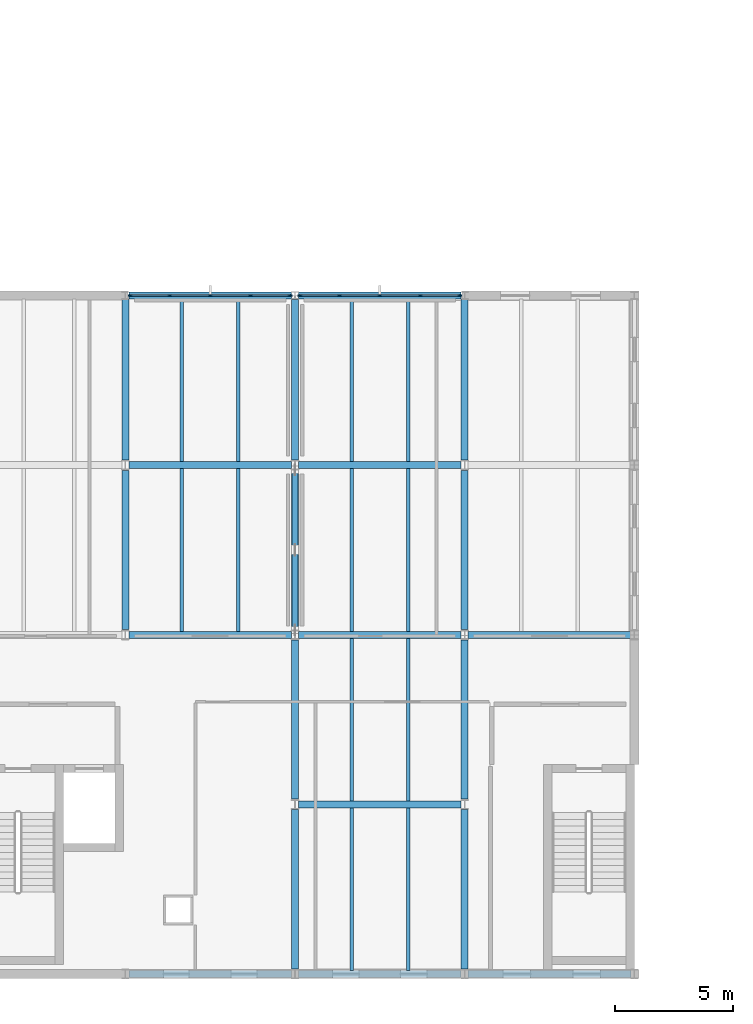
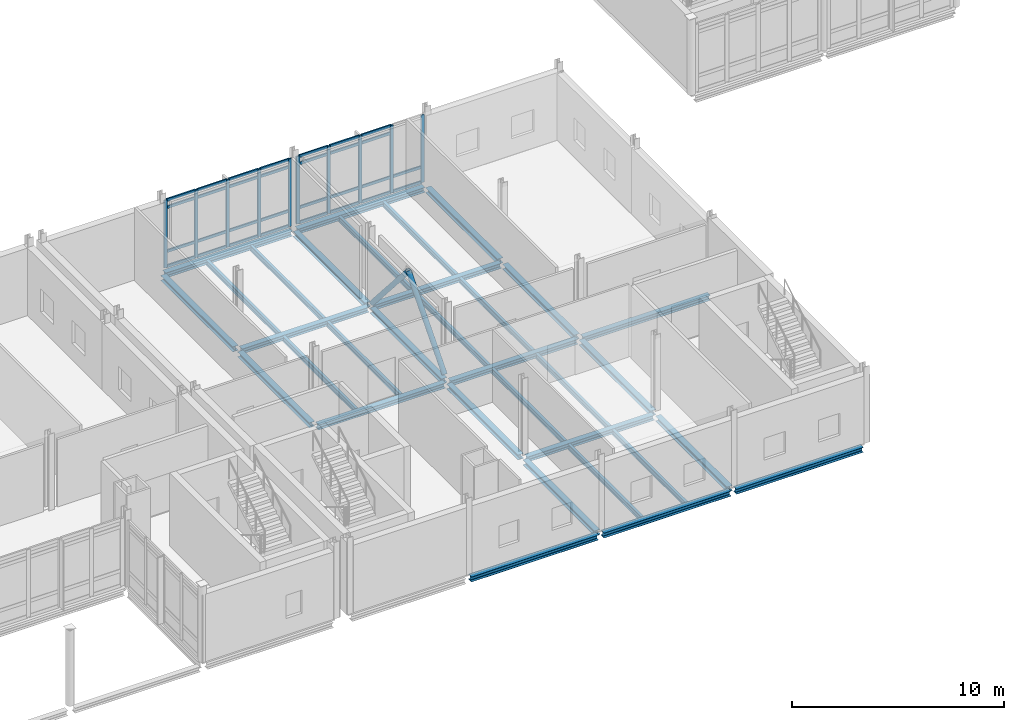
# One storey, part 21 of 76: 42 members, 33 beams, 2 elements without a shape of their own.
"""IFC4 building model written with IfcOpenShell, lengths in metres."""

from ifc_helpers import new_model, si_unit, direction, frame, origin, origin_2d, place, context, subcontext, project, spatial, rectangle, hollow_circle, i_section, extrude, material, layer, layer_set, material_profile, profile_set, type_object, element, aggregate, save


model = new_model("IFC4")

# Units and contexts
model_context = context("Model", 3, precision=1e-05, world=origin(), true_north=direction((0.0, 1.0)))
body_context = subcontext(model_context, "Body", "Model", "MODEL_VIEW")
ifc_project = project(units=[si_unit("LENGTHUNIT", "METRE"), si_unit("AREAUNIT", "SQUARE_METRE"), si_unit("VOLUMEUNIT", "CUBIC_METRE"), si_unit("PLANEANGLEUNIT", "RADIAN"), si_unit("MASSUNIT", "GRAM", prefix="KILO")], contexts=[model_context])

# Site, building, storey
site_placement = place(None, origin())
site = spatial("IfcSite", under=ifc_project, at=site_placement, CompositionType="ELEMENT")
building_placement = place(site_placement, origin())
building = spatial("IfcBuilding", under=site, at=building_placement, Name="Zarrinpeak Specialist Clinic", CompositionType="ELEMENT")
storey_placement = place(building_placement, frame((0.0, 0.0, 5.199951171875)))
storey = spatial("IfcBuildingStorey", under=building, at=storey_placement, Name="L01", CompositionType="ELEMENT", Elevation=5.199951171875)

# Beams
ifc_material_1 = material(Name="Steel S355", Category="steel")
ifc_material_profile_1 = material_profile(ifc_material_1, i_section(OverallWidth=0.300048828125, OverallDepth=0.2900390625, WebThickness=0.008544921875, FlangeThickness=0.013916015625, FilletRadius=0.027099609375, at=origin_2d()), Name="HEA 300")
ifc_profile_set_1 = profile_set([ifc_material_profile_1], Name="Steel S355")
beam_type_1 = type_object("IfcBeamType", Name="BM-HEA300", PredefinedType="BEAM", material=ifc_profile_set_1)
for number, where, z_axis, x_axis, name in (
    (1, (64.947998046875, 0.0, -0.375), (1.0, 0.0, 0.0), (0.0, 1.0, 0.0), "L01 Primary Floor Girder BM-L01-X0721"),
    (2, (72.14794921875, 0.0, -0.375), (1.0, 0.0, 0.0), (0.0, 1.0, 0.0), "L01 Primary Floor Girder BM-L01-X0722"),
    (3, (79.347900390625, 0.0, -0.375), (1.0, 0.0, 0.0), (0.0, 1.0, 0.0), "L01 Primary Floor Girder BM-L01-X0723"),
    (4, (72.14794921875, 7.199951171875, -0.375), (1.0, 0.0, 0.0), (0.0, 1.0, 0.0), "L01 Primary Floor Girder BM-L01-X0728"),
    (5, (64.947998046875, 14.39990234375, -0.375), (1.0, 0.0, 0.0), (0.0, 1.0, 0.0), "L01 Primary Floor Girder BM-L01-X0736"),
    (6, (72.14794921875, 14.39990234375, -0.375), (1.0, 0.0, 0.0), (0.0, 1.0, 0.0), "L01 Primary Floor Girder BM-L01-X0737"),
    (7, (79.347900390625, 14.39990234375, -0.375), (1.0, 0.0, 0.0), (0.0, 1.0, 0.0), "L01 Primary Floor Girder BM-L01-X0738"),
    (8, (64.947998046875, 21.60009765625, -0.375), (1.0, 0.0, 0.0), (0.0, 1.0, 0.0), "L01 Primary Floor Girder BM-L01-X0748"),
    (9, (72.14794921875, 21.60009765625, -0.375), (1.0, 0.0, 0.0), (0.0, 1.0, 0.0), "L01 Primary Floor Girder BM-L01-X0749"),
    (10, (64.947998046875, 28.800048828125, -0.375), (1.0, 0.0, 0.0), (0.0, 1.0, 0.0), "L01 Primary Floor Girder BM-L01-X0760"),
    (11, (72.14794921875, 28.800048828125, -0.375), (1.0, 0.0, 0.0), (0.0, 1.0, 0.0), "L01 Primary Floor Girder BM-L01-X0761"),
):
    element("IfcBeam", number, at=place(storey_placement, frame(where, z_axis=z_axis, x_axis=x_axis)), inside=storey, type_object=beam_type_1, Name=name, PredefinedType="BEAM", context=body_context, shape_type="SweptSolid", body=[
        extrude(i_section(OverallWidth=0.300048828125, OverallDepth=0.2900390625, WebThickness=0.008544921875, FlangeThickness=0.013916015625, FilletRadius=0.027099609375, at=origin_2d()), origin(), (0.0, 0.0, 1.0), 6.904052734375),
    ])
beam_1_placement = place(storey_placement, frame((64.800048828125, 14.623046875, -0.375), z_axis=(0.0, 1.0, 0.0), x_axis=(-1.0, 0.0, 0.0)))
element("IfcBeam", 12, at=beam_1_placement, inside=storey, type_object=beam_type_1, Name="L01 Primary Beam BM-L01-Y0916", PredefinedType="BEAM", context=body_context, shape_type="SweptSolid", body=[
    extrude(i_section(OverallWidth=0.300048828125, OverallDepth=0.2900390625, WebThickness=0.008544921875, FlangeThickness=0.013916015625, FilletRadius=0.027099609375, at=origin_2d()), origin(), (0.0, 0.0, 1.0), 6.75390625),
])
beam_2_placement = place(storey_placement, frame((64.800048828125, 21.822998046875, -0.375), z_axis=(0.0, 1.0, 0.0), x_axis=(-1.0, 0.0, 0.0)))
element("IfcBeam", 13, at=beam_2_placement, inside=storey, type_object=beam_type_1, Name="L01 Primary Beam BM-L01-Y0917", PredefinedType="BEAM", context=body_context, shape_type="SweptSolid", body=[
    extrude(i_section(OverallWidth=0.300048828125, OverallDepth=0.2900390625, WebThickness=0.008544921875, FlangeThickness=0.013916015625, FilletRadius=0.027099609375, at=origin_2d()), origin(), (0.0, 0.0, 1.0), 6.799072265625),
])
beam_3_placement = place(storey_placement, frame((72.0, 0.222900390625, -0.375), z_axis=(0.0, 1.0, 0.0), x_axis=(-1.0, 0.0, 0.0)))
element("IfcBeam", 14, at=beam_3_placement, inside=storey, type_object=beam_type_1, Name="L01 Primary Beam BM-L01-Y0921", PredefinedType="BEAM", context=body_context, shape_type="SweptSolid", body=[
    extrude(i_section(OverallWidth=0.300048828125, OverallDepth=0.2900390625, WebThickness=0.008544921875, FlangeThickness=0.013916015625, FilletRadius=0.027099609375, at=origin_2d()), origin(), (0.0, 0.0, 1.0), 6.754150390625),
])
for number, where, z_axis, x_axis, name in (
    (15, (72.0, 7.423095703125, -0.375), (0.0, 1.0, 0.0), (-1.0, 0.0, 0.0), "L01 Primary Beam BM-L01-Y0922"),
    (16, (72.0, 14.623046875, -0.375), (0.0, 1.0, 0.0), (-1.0, 0.0, 0.0), "L01 Primary Beam BM-L01-Y0923"),
):
    element("IfcBeam", number, at=place(storey_placement, frame(where, z_axis=z_axis, x_axis=x_axis)), inside=storey, type_object=beam_type_1, Name=name, PredefinedType="BEAM", context=body_context, shape_type="SweptSolid", body=[
        extrude(i_section(OverallWidth=0.300048828125, OverallDepth=0.2900390625, WebThickness=0.008544921875, FlangeThickness=0.013916015625, FilletRadius=0.027099609375, at=origin_2d()), origin(), (0.0, 0.0, 1.0), 6.75390625),
    ])
beam_4_placement = place(storey_placement, frame((72.0, 21.822998046875, -0.375), z_axis=(0.0, 1.0, 0.0), x_axis=(-1.0, 0.0, 0.0)))
element("IfcBeam", 17, at=beam_4_placement, inside=storey, type_object=beam_type_1, Name="L01 Primary Beam BM-L01-Y0924", PredefinedType="BEAM", context=body_context, shape_type="SweptSolid", body=[
    extrude(i_section(OverallWidth=0.300048828125, OverallDepth=0.2900390625, WebThickness=0.008544921875, FlangeThickness=0.013916015625, FilletRadius=0.027099609375, at=origin_2d()), origin(), (0.0, 0.0, 1.0), 6.799072265625),
])
beam_5_placement = place(storey_placement, frame((79.199951171875, 0.222900390625, -0.375), z_axis=(0.0, 1.0, 0.0), x_axis=(-1.0, 0.0, 0.0)))
element("IfcBeam", 18, at=beam_5_placement, inside=storey, type_object=beam_type_1, Name="L01 Primary Beam BM-L01-Y0925", PredefinedType="BEAM", context=body_context, shape_type="SweptSolid", body=[
    extrude(i_section(OverallWidth=0.300048828125, OverallDepth=0.2900390625, WebThickness=0.008544921875, FlangeThickness=0.013916015625, FilletRadius=0.027099609375, at=origin_2d()), origin(), (0.0, 0.0, 1.0), 6.754150390625),
])
for number, where, z_axis, x_axis, name in (
    (19, (79.199951171875, 7.423095703125, -0.375), (0.0, 1.0, 0.0), (-1.0, 0.0, 0.0), "L01 Primary Beam BM-L01-Y0926"),
    (20, (79.199951171875, 14.623046875, -0.375), (0.0, 1.0, 0.0), (-1.0, 0.0, 0.0), "L01 Primary Beam BM-L01-Y0927"),
):
    element("IfcBeam", number, at=place(storey_placement, frame(where, z_axis=z_axis, x_axis=x_axis)), inside=storey, type_object=beam_type_1, Name=name, PredefinedType="BEAM", context=body_context, shape_type="SweptSolid", body=[
        extrude(i_section(OverallWidth=0.300048828125, OverallDepth=0.2900390625, WebThickness=0.008544921875, FlangeThickness=0.013916015625, FilletRadius=0.027099609375, at=origin_2d()), origin(), (0.0, 0.0, 1.0), 6.75390625),
    ])
beam_6_placement = place(storey_placement, frame((79.199951171875, 21.822998046875, -0.375), z_axis=(0.0, 1.0, 0.0), x_axis=(-1.0, 0.0, 0.0)))
element("IfcBeam", 21, at=beam_6_placement, inside=storey, type_object=beam_type_1, Name="L01 Primary Beam BM-L01-Y0928", PredefinedType="BEAM", context=body_context, shape_type="SweptSolid", body=[
    extrude(i_section(OverallWidth=0.300048828125, OverallDepth=0.2900390625, WebThickness=0.008544921875, FlangeThickness=0.013916015625, FilletRadius=0.027099609375, at=origin_2d()), origin(), (0.0, 0.0, 1.0), 6.799072265625),
])
ifc_material_profile_2 = material_profile(ifc_material_1, i_section(OverallWidth=0.14990234375, OverallDepth=0.300048828125, WebThickness=0.007080078125, FlangeThickness=0.0107421875, FilletRadius=0.014892578125, at=origin_2d()), Name="IPE 300")
ifc_profile_set_2 = profile_set([ifc_material_profile_2], Name="Steel S355")
beam_type_2 = type_object("IfcBeamType", Name="BM-JST300", PredefinedType="JOIST", material=ifc_profile_set_2)
for number, where, z_axis, x_axis, name in (
    (22, (67.199951171875, 14.548095703125, -0.3798828125), (0.0, 1.0, 0.0), (-1.0, 0.0, 0.0), "L01 Composite Floor Joist JST-L01-1013"),
    (23, (69.60009765625, 14.548095703125, -0.3798828125), (0.0, 1.0, 0.0), (-1.0, 0.0, 0.0), "L01 Composite Floor Joist JST-L01-1014"),
):
    element("IfcBeam", number, at=place(storey_placement, frame(where, z_axis=z_axis, x_axis=x_axis)), inside=storey, type_object=beam_type_2, Name=name, PredefinedType="JOIST", context=body_context, shape_type="SweptSolid", body=[
        extrude(i_section(OverallWidth=0.14990234375, OverallDepth=0.300048828125, WebThickness=0.007080078125, FlangeThickness=0.0107421875, FilletRadius=0.014892578125, at=origin_2d()), origin(), (0.0, 0.0, 1.0), 6.90380859375),
    ])
for number, where, z_axis, x_axis, name in (
    (24, (67.199951171875, 21.748046875, -0.3798828125), (0.0, 1.0, 0.0), (-1.0, 0.0, 0.0), "L01 Composite Floor Joist JST-L01-1015"),
    (25, (69.60009765625, 21.748046875, -0.3798828125), (0.0, 1.0, 0.0), (-1.0, 0.0, 0.0), "L01 Composite Floor Joist JST-L01-1016"),
    (26, (74.39990234375, 0.14794921875, -0.3798828125), (0.0, 1.0, 0.0), (-1.0, 0.0, 0.0), "L01 Composite Floor Joist JST-L01-1017"),
    (27, (76.800048828125, 0.14794921875, -0.3798828125), (0.0, 1.0, 0.0), (-1.0, 0.0, 0.0), "L01 Composite Floor Joist JST-L01-1018"),
    (28, (74.39990234375, 7.347900390625, -0.3798828125), (0.0, 1.0, 0.0), (-1.0, 0.0, 0.0), "L01 Composite Floor Joist JST-L01-1019"),
    (29, (76.800048828125, 7.347900390625, -0.3798828125), (0.0, 1.0, 0.0), (-1.0, 0.0, 0.0), "L01 Composite Floor Joist JST-L01-1020"),
):
    element("IfcBeam", number, at=place(storey_placement, frame(where, z_axis=z_axis, x_axis=x_axis)), inside=storey, type_object=beam_type_2, Name=name, PredefinedType="JOIST", context=body_context, shape_type="SweptSolid", body=[
        extrude(i_section(OverallWidth=0.14990234375, OverallDepth=0.300048828125, WebThickness=0.007080078125, FlangeThickness=0.0107421875, FilletRadius=0.014892578125, at=origin_2d()), origin(), (0.0, 0.0, 1.0), 6.904052734375),
    ])
for number, where, z_axis, x_axis, name in (
    (30, (74.39990234375, 14.548095703125, -0.3798828125), (0.0, 1.0, 0.0), (-1.0, 0.0, 0.0), "L01 Composite Floor Joist JST-L01-1021"),
    (31, (76.800048828125, 14.548095703125, -0.3798828125), (0.0, 1.0, 0.0), (-1.0, 0.0, 0.0), "L01 Composite Floor Joist JST-L01-1022"),
):
    element("IfcBeam", number, at=place(storey_placement, frame(where, z_axis=z_axis, x_axis=x_axis)), inside=storey, type_object=beam_type_2, Name=name, PredefinedType="JOIST", context=body_context, shape_type="SweptSolid", body=[
        extrude(i_section(OverallWidth=0.14990234375, OverallDepth=0.300048828125, WebThickness=0.007080078125, FlangeThickness=0.0107421875, FilletRadius=0.014892578125, at=origin_2d()), origin(), (0.0, 0.0, 1.0), 6.90380859375),
    ])
for number, where, z_axis, x_axis, name in (
    (32, (74.39990234375, 21.748046875, -0.3798828125), (0.0, 1.0, 0.0), (-1.0, 0.0, 0.0), "L01 Composite Floor Joist JST-L01-1023"),
    (33, (76.800048828125, 21.748046875, -0.3798828125), (0.0, 1.0, 0.0), (-1.0, 0.0, 0.0), "L01 Composite Floor Joist JST-L01-1024"),
):
    element("IfcBeam", number, at=place(storey_placement, frame(where, z_axis=z_axis, x_axis=x_axis)), inside=storey, type_object=beam_type_2, Name=name, PredefinedType="JOIST", context=body_context, shape_type="SweptSolid", body=[
        extrude(i_section(OverallWidth=0.14990234375, OverallDepth=0.300048828125, WebThickness=0.007080078125, FlangeThickness=0.0107421875, FilletRadius=0.014892578125, at=origin_2d()), origin(), (0.0, 0.0, 1.0), 6.904052734375),
    ])

# Curtain wall, members
ifc_material_2 = material(Name="Anodised Aluminium Alloy 6063-T6", Category="aluminium")
ifc_layer = layer(ifc_material_2, 0.179931640625)
ifc_layer_set = layer_set([ifc_layer], Name="Anodised Aluminium Alloy 6063-T6")
curtain_wall_type = type_object("IfcCurtainWallType", Name="CW-COURT", PredefinedType="NOTDEFINED", material=ifc_layer_set)
curtain_wall_1_placement = place(storey_placement, origin())
curtain_wall_1 = element("IfcCurtainWall", 34, at=curtain_wall_1_placement, inside=storey, type_object=curtain_wall_type, Name="L01 V4 Unitised Curtain Wall CW-L01-V4-071", PredefinedType="NOTDEFINED")
ifc_material_profile_3 = material_profile(ifc_material_2, rectangle(XDim=0.074951171875, YDim=0.179931640625, at=origin_2d()), Name="ALU 75x180")
ifc_profile_set_3 = profile_set([ifc_material_profile_3], Name="Anodised Aluminium Alloy 6063-T6")
member_type_1 = type_object("IfcMemberType", Name="CWM-75", PredefinedType="MULLION", material=ifc_profile_set_3)
member_1_placement = place(storey_placement, frame((71.78759765625, 28.800048828125, 0.0), z_axis=(0.0, 0.0, 1.0), x_axis=(0.0, -1.0, 0.0)))
member_1 = element("IfcMember", 35, at=member_1_placement, type_object=member_type_1, Name="CW-01 mullion 1", PredefinedType="MULLION", context=body_context, shape_type="SweptSolid", body=[
    extrude(rectangle(XDim=0.074951171875, YDim=0.179931640625, at=origin_2d()), origin(), (0.0, 0.0, 1.0), 3.880126953125),
])
member_2_placement = place(storey_placement, frame((70.112548828125, 28.800048828125, 0.0), z_axis=(0.0, 0.0, 1.0), x_axis=(0.0, -1.0, 0.0)))
member_2 = element("IfcMember", 36, at=member_2_placement, type_object=member_type_1, Name="CW-01 mullion 2", PredefinedType="MULLION", context=body_context, shape_type="SweptSolid", body=[
    extrude(rectangle(XDim=0.074951171875, YDim=0.179931640625, at=origin_2d()), origin(), (0.0, 0.0, 1.0), 3.880126953125),
])
member_3_placement = place(storey_placement, frame((68.39990234375, 28.800048828125, 0.0), z_axis=(0.0, 0.0, 1.0), x_axis=(0.0, -1.0, 0.0)))
member_3 = element("IfcMember", 37, at=member_3_placement, type_object=member_type_1, Name="CW-01 mullion 3", PredefinedType="MULLION", context=body_context, shape_type="SweptSolid", body=[
    extrude(rectangle(XDim=0.074951171875, YDim=0.179931640625, at=origin_2d()), origin(), (0.0, 0.0, 1.0), 3.880126953125),
])
member_4_placement = place(storey_placement, frame((66.6875, 28.800048828125, 0.0), z_axis=(0.0, 0.0, 1.0), x_axis=(0.0, -1.0, 0.0)))
member_4 = element("IfcMember", 38, at=member_4_placement, type_object=member_type_1, Name="CW-01 mullion 4", PredefinedType="MULLION", context=body_context, shape_type="SweptSolid", body=[
    extrude(rectangle(XDim=0.074951171875, YDim=0.179931640625, at=origin_2d()), origin(), (0.0, 0.0, 1.0), 3.880126953125),
])
member_5_placement = place(storey_placement, frame((65.012451171875, 28.800048828125, 0.0), z_axis=(0.0, 0.0, 1.0), x_axis=(0.0, -1.0, 0.0)))
member_5 = element("IfcMember", 39, at=member_5_placement, type_object=member_type_1, Name="CW-01 mullion 5", PredefinedType="MULLION", context=body_context, shape_type="SweptSolid", body=[
    extrude(rectangle(XDim=0.074951171875, YDim=0.179931640625, at=origin_2d()), origin(), (0.0, 0.0, 1.0), 3.880126953125),
])

curtain_wall_2_placement = place(storey_placement, origin())
curtain_wall_2 = element("IfcCurtainWall", 40, at=curtain_wall_2_placement, inside=storey, type_object=curtain_wall_type, Name="L01 V4 Unitised Curtain Wall CW-L01-V4-072", PredefinedType="NOTDEFINED")
member_6_placement = place(storey_placement, frame((78.987548828125, 28.800048828125, 0.0), z_axis=(0.0, 0.0, 1.0), x_axis=(0.0, -1.0, 0.0)))
member_6 = element("IfcMember", 41, at=member_6_placement, type_object=member_type_1, Name="CW-01 mullion 1", PredefinedType="MULLION", context=body_context, shape_type="SweptSolid", body=[
    extrude(rectangle(XDim=0.074951171875, YDim=0.179931640625, at=origin_2d()), origin(), (0.0, 0.0, 1.0), 3.880126953125),
])
member_7_placement = place(storey_placement, frame((77.3125, 28.800048828125, 0.0), z_axis=(0.0, 0.0, 1.0), x_axis=(0.0, -1.0, 0.0)))
member_7 = element("IfcMember", 42, at=member_7_placement, type_object=member_type_1, Name="CW-01 mullion 2", PredefinedType="MULLION", context=body_context, shape_type="SweptSolid", body=[
    extrude(rectangle(XDim=0.074951171875, YDim=0.179931640625, at=origin_2d()), origin(), (0.0, 0.0, 1.0), 3.880126953125),
])
member_8_placement = place(storey_placement, frame((75.60009765625, 28.800048828125, 0.0), z_axis=(0.0, 0.0, 1.0), x_axis=(0.0, -1.0, 0.0)))
member_8 = element("IfcMember", 43, at=member_8_placement, type_object=member_type_1, Name="CW-01 mullion 3", PredefinedType="MULLION", context=body_context, shape_type="SweptSolid", body=[
    extrude(rectangle(XDim=0.074951171875, YDim=0.179931640625, at=origin_2d()), origin(), (0.0, 0.0, 1.0), 3.880126953125),
])
member_9_placement = place(storey_placement, frame((73.887451171875, 28.800048828125, 0.0), z_axis=(0.0, 0.0, 1.0), x_axis=(0.0, -1.0, 0.0)))
member_9 = element("IfcMember", 44, at=member_9_placement, type_object=member_type_1, Name="CW-01 mullion 4", PredefinedType="MULLION", context=body_context, shape_type="SweptSolid", body=[
    extrude(rectangle(XDim=0.074951171875, YDim=0.179931640625, at=origin_2d()), origin(), (0.0, 0.0, 1.0), 3.880126953125),
])
member_10_placement = place(storey_placement, frame((72.21240234375, 28.800048828125, 0.0), z_axis=(0.0, 0.0, 1.0), x_axis=(0.0, -1.0, 0.0)))
member_10 = element("IfcMember", 45, at=member_10_placement, type_object=member_type_1, Name="CW-01 mullion 5", PredefinedType="MULLION", context=body_context, shape_type="SweptSolid", body=[
    extrude(rectangle(XDim=0.074951171875, YDim=0.179931640625, at=origin_2d()), origin(), (0.0, 0.0, 1.0), 3.880126953125),
])

# Member
ifc_material_profile_4 = material_profile(ifc_material_2, rectangle(XDim=0.074951171875, YDim=0.159912109375, at=origin_2d()), Name="ALU 75x160")
ifc_profile_set_4 = profile_set([ifc_material_profile_4], Name="Anodised Aluminium Alloy 6063-T6")
member_type_2 = type_object("IfcMemberType", Name="CWT-75", PredefinedType="USERDEFINED", material=ifc_profile_set_4)
member_11_placement = place(storey_placement, frame((71.75, 28.800048828125, 0.03759765625), z_axis=(-1.0, 0.0, 0.0), x_axis=(0.0, -1.0, 0.0)))
member_11 = element("IfcMember", 46, at=member_11_placement, type_object=member_type_2, Name="CW-01 transom 1.1", ObjectType="TRANSOM", PredefinedType="USERDEFINED", context=body_context, shape_type="SweptSolid", body=[
    extrude(rectangle(XDim=0.074951171875, YDim=0.159912109375, at=origin_2d()), origin(), (0.0, 0.0, 1.0), 1.60009765625),
])

member_12_placement = place(storey_placement, frame((71.75, 28.800048828125, 0.900146484375), z_axis=(-1.0, 0.0, 0.0), x_axis=(0.0, -1.0, 0.0)))
member_12 = element("IfcMember", 47, at=member_12_placement, type_object=member_type_2, Name="CW-01 transom 1.2", ObjectType="TRANSOM", PredefinedType="USERDEFINED", context=body_context, shape_type="SweptSolid", body=[
    extrude(rectangle(XDim=0.074951171875, YDim=0.159912109375, at=origin_2d()), origin(), (0.0, 0.0, 1.0), 1.60009765625),
])

member_13_placement = place(storey_placement, frame((71.75, 28.800048828125, 3.429931640625), z_axis=(-1.0, 0.0, 0.0), x_axis=(0.0, -1.0, 0.0)))
member_13 = element("IfcMember", 48, at=member_13_placement, type_object=member_type_2, Name="CW-01 transom 1.3", ObjectType="TRANSOM", PredefinedType="USERDEFINED", context=body_context, shape_type="SweptSolid", body=[
    extrude(rectangle(XDim=0.074951171875, YDim=0.159912109375, at=origin_2d()), origin(), (0.0, 0.0, 1.0), 1.60009765625),
])

member_14_placement = place(storey_placement, frame((71.75, 28.800048828125, 3.842529296875), z_axis=(-1.0, 0.0, 0.0), x_axis=(0.0, -1.0, 0.0)))
member_14 = element("IfcMember", 49, at=member_14_placement, type_object=member_type_2, Name="CW-01 transom 1.4", ObjectType="TRANSOM", PredefinedType="USERDEFINED", context=body_context, shape_type="SweptSolid", body=[
    extrude(rectangle(XDim=0.074951171875, YDim=0.159912109375, at=origin_2d()), origin(), (0.0, 0.0, 1.0), 1.60009765625),
])

member_15_placement = place(storey_placement, frame((70.074951171875, 28.800048828125, 0.03759765625), z_axis=(-1.0, 0.0, 0.0), x_axis=(0.0, -1.0, 0.0)))
member_15 = element("IfcMember", 50, at=member_15_placement, type_object=member_type_2, Name="CW-01 transom 2.1", ObjectType="TRANSOM", PredefinedType="USERDEFINED", context=body_context, shape_type="SweptSolid", body=[
    extrude(rectangle(XDim=0.074951171875, YDim=0.159912109375, at=origin_2d()), origin(), (0.0, 0.0, 1.0), 1.637451171875),
])

member_16_placement = place(storey_placement, frame((70.074951171875, 28.800048828125, 0.900146484375), z_axis=(-1.0, 0.0, 0.0), x_axis=(0.0, -1.0, 0.0)))
member_16 = element("IfcMember", 51, at=member_16_placement, type_object=member_type_2, Name="CW-01 transom 2.2", ObjectType="TRANSOM", PredefinedType="USERDEFINED", context=body_context, shape_type="SweptSolid", body=[
    extrude(rectangle(XDim=0.074951171875, YDim=0.159912109375, at=origin_2d()), origin(), (0.0, 0.0, 1.0), 1.637451171875),
])

member_17_placement = place(storey_placement, frame((70.074951171875, 28.800048828125, 3.429931640625), z_axis=(-1.0, 0.0, 0.0), x_axis=(0.0, -1.0, 0.0)))
member_17 = element("IfcMember", 52, at=member_17_placement, type_object=member_type_2, Name="CW-01 transom 2.3", ObjectType="TRANSOM", PredefinedType="USERDEFINED", context=body_context, shape_type="SweptSolid", body=[
    extrude(rectangle(XDim=0.074951171875, YDim=0.159912109375, at=origin_2d()), origin(), (0.0, 0.0, 1.0), 1.637451171875),
])

member_18_placement = place(storey_placement, frame((70.074951171875, 28.800048828125, 3.842529296875), z_axis=(-1.0, 0.0, 0.0), x_axis=(0.0, -1.0, 0.0)))
member_18 = element("IfcMember", 53, at=member_18_placement, type_object=member_type_2, Name="CW-01 transom 2.4", ObjectType="TRANSOM", PredefinedType="USERDEFINED", context=body_context, shape_type="SweptSolid", body=[
    extrude(rectangle(XDim=0.074951171875, YDim=0.159912109375, at=origin_2d()), origin(), (0.0, 0.0, 1.0), 1.637451171875),
])

member_19_placement = place(storey_placement, frame((68.362548828125, 28.800048828125, 0.03759765625), z_axis=(-1.0, 0.0, 0.0), x_axis=(0.0, -1.0, 0.0)))
member_19 = element("IfcMember", 54, at=member_19_placement, type_object=member_type_2, Name="CW-01 transom 3.1", ObjectType="TRANSOM", PredefinedType="USERDEFINED", context=body_context, shape_type="SweptSolid", body=[
    extrude(rectangle(XDim=0.074951171875, YDim=0.159912109375, at=origin_2d()), origin(), (0.0, 0.0, 1.0), 1.637451171875),
])

member_20_placement = place(storey_placement, frame((68.362548828125, 28.800048828125, 0.900146484375), z_axis=(-1.0, 0.0, 0.0), x_axis=(0.0, -1.0, 0.0)))
member_20 = element("IfcMember", 55, at=member_20_placement, type_object=member_type_2, Name="CW-01 transom 3.2", ObjectType="TRANSOM", PredefinedType="USERDEFINED", context=body_context, shape_type="SweptSolid", body=[
    extrude(rectangle(XDim=0.074951171875, YDim=0.159912109375, at=origin_2d()), origin(), (0.0, 0.0, 1.0), 1.637451171875),
])

member_21_placement = place(storey_placement, frame((68.362548828125, 28.800048828125, 3.429931640625), z_axis=(-1.0, 0.0, 0.0), x_axis=(0.0, -1.0, 0.0)))
member_21 = element("IfcMember", 56, at=member_21_placement, type_object=member_type_2, Name="CW-01 transom 3.3", ObjectType="TRANSOM", PredefinedType="USERDEFINED", context=body_context, shape_type="SweptSolid", body=[
    extrude(rectangle(XDim=0.074951171875, YDim=0.159912109375, at=origin_2d()), origin(), (0.0, 0.0, 1.0), 1.637451171875),
])

member_22_placement = place(storey_placement, frame((68.362548828125, 28.800048828125, 3.842529296875), z_axis=(-1.0, 0.0, 0.0), x_axis=(0.0, -1.0, 0.0)))
member_22 = element("IfcMember", 57, at=member_22_placement, type_object=member_type_2, Name="CW-01 transom 3.4", ObjectType="TRANSOM", PredefinedType="USERDEFINED", context=body_context, shape_type="SweptSolid", body=[
    extrude(rectangle(XDim=0.074951171875, YDim=0.159912109375, at=origin_2d()), origin(), (0.0, 0.0, 1.0), 1.637451171875),
])

member_23_placement = place(storey_placement, frame((66.64990234375, 28.800048828125, 0.03759765625), z_axis=(-1.0, 0.0, 0.0), x_axis=(0.0, -1.0, 0.0)))
member_23 = element("IfcMember", 58, at=member_23_placement, type_object=member_type_2, Name="CW-01 transom 4.1", ObjectType="TRANSOM", PredefinedType="USERDEFINED", context=body_context, shape_type="SweptSolid", body=[
    extrude(rectangle(XDim=0.074951171875, YDim=0.159912109375, at=origin_2d()), origin(), (0.0, 0.0, 1.0), 1.599853515625),
])

member_24_placement = place(storey_placement, frame((66.64990234375, 28.800048828125, 0.900146484375), z_axis=(-1.0, 0.0, 0.0), x_axis=(0.0, -1.0, 0.0)))
member_24 = element("IfcMember", 59, at=member_24_placement, type_object=member_type_2, Name="CW-01 transom 4.2", ObjectType="TRANSOM", PredefinedType="USERDEFINED", context=body_context, shape_type="SweptSolid", body=[
    extrude(rectangle(XDim=0.074951171875, YDim=0.159912109375, at=origin_2d()), origin(), (0.0, 0.0, 1.0), 1.599853515625),
])

member_25_placement = place(storey_placement, frame((66.64990234375, 28.800048828125, 3.429931640625), z_axis=(-1.0, 0.0, 0.0), x_axis=(0.0, -1.0, 0.0)))
member_25 = element("IfcMember", 60, at=member_25_placement, type_object=member_type_2, Name="CW-01 transom 4.3", ObjectType="TRANSOM", PredefinedType="USERDEFINED", context=body_context, shape_type="SweptSolid", body=[
    extrude(rectangle(XDim=0.074951171875, YDim=0.159912109375, at=origin_2d()), origin(), (0.0, 0.0, 1.0), 1.599853515625),
])

member_26_placement = place(storey_placement, frame((66.64990234375, 28.800048828125, 3.842529296875), z_axis=(-1.0, 0.0, 0.0), x_axis=(0.0, -1.0, 0.0)))
member_26 = element("IfcMember", 61, at=member_26_placement, type_object=member_type_2, Name="CW-01 transom 4.4", ObjectType="TRANSOM", PredefinedType="USERDEFINED", context=body_context, shape_type="SweptSolid", body=[
    extrude(rectangle(XDim=0.074951171875, YDim=0.159912109375, at=origin_2d()), origin(), (0.0, 0.0, 1.0), 1.599853515625),
])

aggregate(curtain_wall_1, [member_1, member_2, member_3, member_4, member_5, member_11, member_12, member_13, member_14, member_15, member_16, member_17, member_18, member_19, member_20, member_21, member_22, member_23, member_24, member_25, member_26])

member_27_placement = place(storey_placement, frame((78.949951171875, 28.800048828125, 0.03759765625), z_axis=(-1.0, 0.0, 0.0), x_axis=(0.0, -1.0, 0.0)))
member_27 = element("IfcMember", 62, at=member_27_placement, type_object=member_type_2, Name="CW-01 transom 1.1", ObjectType="TRANSOM", PredefinedType="USERDEFINED", context=body_context, shape_type="SweptSolid", body=[
    extrude(rectangle(XDim=0.074951171875, YDim=0.159912109375, at=origin_2d()), origin(), (0.0, 0.0, 1.0), 1.599853515625),
])

member_28_placement = place(storey_placement, frame((78.949951171875, 28.800048828125, 0.900146484375), z_axis=(-1.0, 0.0, 0.0), x_axis=(0.0, -1.0, 0.0)))
member_28 = element("IfcMember", 63, at=member_28_placement, type_object=member_type_2, Name="CW-01 transom 1.2", ObjectType="TRANSOM", PredefinedType="USERDEFINED", context=body_context, shape_type="SweptSolid", body=[
    extrude(rectangle(XDim=0.074951171875, YDim=0.159912109375, at=origin_2d()), origin(), (0.0, 0.0, 1.0), 1.599853515625),
])

member_29_placement = place(storey_placement, frame((77.27490234375, 28.800048828125, 0.03759765625), z_axis=(-1.0, 0.0, 0.0), x_axis=(0.0, -1.0, 0.0)))
member_29 = element("IfcMember", 64, at=member_29_placement, type_object=member_type_2, Name="CW-01 transom 2.1", ObjectType="TRANSOM", PredefinedType="USERDEFINED", context=body_context, shape_type="SweptSolid", body=[
    extrude(rectangle(XDim=0.074951171875, YDim=0.159912109375, at=origin_2d()), origin(), (0.0, 0.0, 1.0), 1.637451171875),
])

member_30_placement = place(storey_placement, frame((77.27490234375, 28.800048828125, 0.900146484375), z_axis=(-1.0, 0.0, 0.0), x_axis=(0.0, -1.0, 0.0)))
member_30 = element("IfcMember", 65, at=member_30_placement, type_object=member_type_2, Name="CW-01 transom 2.2", ObjectType="TRANSOM", PredefinedType="USERDEFINED", context=body_context, shape_type="SweptSolid", body=[
    extrude(rectangle(XDim=0.074951171875, YDim=0.159912109375, at=origin_2d()), origin(), (0.0, 0.0, 1.0), 1.637451171875),
])

member_31_placement = place(storey_placement, frame((77.27490234375, 28.800048828125, 3.429931640625), z_axis=(-1.0, 0.0, 0.0), x_axis=(0.0, -1.0, 0.0)))
member_31 = element("IfcMember", 66, at=member_31_placement, type_object=member_type_2, Name="CW-01 transom 2.3", ObjectType="TRANSOM", PredefinedType="USERDEFINED", context=body_context, shape_type="SweptSolid", body=[
    extrude(rectangle(XDim=0.074951171875, YDim=0.159912109375, at=origin_2d()), origin(), (0.0, 0.0, 1.0), 1.637451171875),
])

member_32_placement = place(storey_placement, frame((77.27490234375, 28.800048828125, 3.842529296875), z_axis=(-1.0, 0.0, 0.0), x_axis=(0.0, -1.0, 0.0)))
member_32 = element("IfcMember", 67, at=member_32_placement, type_object=member_type_2, Name="CW-01 transom 2.4", ObjectType="TRANSOM", PredefinedType="USERDEFINED", context=body_context, shape_type="SweptSolid", body=[
    extrude(rectangle(XDim=0.074951171875, YDim=0.159912109375, at=origin_2d()), origin(), (0.0, 0.0, 1.0), 1.637451171875),
])

member_33_placement = place(storey_placement, frame((75.5625, 28.800048828125, 0.03759765625), z_axis=(-1.0, 0.0, 0.0), x_axis=(0.0, -1.0, 0.0)))
member_33 = element("IfcMember", 68, at=member_33_placement, type_object=member_type_2, Name="CW-01 transom 3.1", ObjectType="TRANSOM", PredefinedType="USERDEFINED", context=body_context, shape_type="SweptSolid", body=[
    extrude(rectangle(XDim=0.074951171875, YDim=0.159912109375, at=origin_2d()), origin(), (0.0, 0.0, 1.0), 1.637451171875),
])

member_34_placement = place(storey_placement, frame((75.5625, 28.800048828125, 0.900146484375), z_axis=(-1.0, 0.0, 0.0), x_axis=(0.0, -1.0, 0.0)))
member_34 = element("IfcMember", 69, at=member_34_placement, type_object=member_type_2, Name="CW-01 transom 3.2", ObjectType="TRANSOM", PredefinedType="USERDEFINED", context=body_context, shape_type="SweptSolid", body=[
    extrude(rectangle(XDim=0.074951171875, YDim=0.159912109375, at=origin_2d()), origin(), (0.0, 0.0, 1.0), 1.637451171875),
])

member_35_placement = place(storey_placement, frame((75.5625, 28.800048828125, 3.429931640625), z_axis=(-1.0, 0.0, 0.0), x_axis=(0.0, -1.0, 0.0)))
member_35 = element("IfcMember", 70, at=member_35_placement, type_object=member_type_2, Name="CW-01 transom 3.3", ObjectType="TRANSOM", PredefinedType="USERDEFINED", context=body_context, shape_type="SweptSolid", body=[
    extrude(rectangle(XDim=0.074951171875, YDim=0.159912109375, at=origin_2d()), origin(), (0.0, 0.0, 1.0), 1.637451171875),
])

member_36_placement = place(storey_placement, frame((75.5625, 28.800048828125, 3.842529296875), z_axis=(-1.0, 0.0, 0.0), x_axis=(0.0, -1.0, 0.0)))
member_36 = element("IfcMember", 71, at=member_36_placement, type_object=member_type_2, Name="CW-01 transom 3.4", ObjectType="TRANSOM", PredefinedType="USERDEFINED", context=body_context, shape_type="SweptSolid", body=[
    extrude(rectangle(XDim=0.074951171875, YDim=0.159912109375, at=origin_2d()), origin(), (0.0, 0.0, 1.0), 1.637451171875),
])

member_37_placement = place(storey_placement, frame((73.85009765625, 28.800048828125, 0.03759765625), z_axis=(-1.0, 0.0, 0.0), x_axis=(0.0, -1.0, 0.0)))
member_37 = element("IfcMember", 72, at=member_37_placement, type_object=member_type_2, Name="CW-01 transom 4.1", ObjectType="TRANSOM", PredefinedType="USERDEFINED", context=body_context, shape_type="SweptSolid", body=[
    extrude(rectangle(XDim=0.074951171875, YDim=0.159912109375, at=origin_2d()), origin(), (0.0, 0.0, 1.0), 1.60009765625),
])

member_38_placement = place(storey_placement, frame((73.85009765625, 28.800048828125, 0.900146484375), z_axis=(-1.0, 0.0, 0.0), x_axis=(0.0, -1.0, 0.0)))
member_38 = element("IfcMember", 73, at=member_38_placement, type_object=member_type_2, Name="CW-01 transom 4.2", ObjectType="TRANSOM", PredefinedType="USERDEFINED", context=body_context, shape_type="SweptSolid", body=[
    extrude(rectangle(XDim=0.074951171875, YDim=0.159912109375, at=origin_2d()), origin(), (0.0, 0.0, 1.0), 1.60009765625),
])

member_39_placement = place(storey_placement, frame((73.85009765625, 28.800048828125, 3.429931640625), z_axis=(-1.0, 0.0, 0.0), x_axis=(0.0, -1.0, 0.0)))
member_39 = element("IfcMember", 74, at=member_39_placement, type_object=member_type_2, Name="CW-01 transom 4.3", ObjectType="TRANSOM", PredefinedType="USERDEFINED", context=body_context, shape_type="SweptSolid", body=[
    extrude(rectangle(XDim=0.074951171875, YDim=0.159912109375, at=origin_2d()), origin(), (0.0, 0.0, 1.0), 1.60009765625),
])

member_40_placement = place(storey_placement, frame((73.85009765625, 28.800048828125, 3.842529296875), z_axis=(-1.0, 0.0, 0.0), x_axis=(0.0, -1.0, 0.0)))
member_40 = element("IfcMember", 75, at=member_40_placement, type_object=member_type_2, Name="CW-01 transom 4.4", ObjectType="TRANSOM", PredefinedType="USERDEFINED", context=body_context, shape_type="SweptSolid", body=[
    extrude(rectangle(XDim=0.074951171875, YDim=0.159912109375, at=origin_2d()), origin(), (0.0, 0.0, 1.0), 1.60009765625),
])

aggregate(curtain_wall_2, [member_6, member_7, member_8, member_9, member_10, member_27, member_28, member_29, member_30, member_31, member_32, member_33, member_34, member_35, member_36, member_37, member_38, member_39, member_40])

# Members
ifc_material_profile_5 = material_profile(ifc_material_1, hollow_circle(Radius=0.136474609375, WallThickness=0.012451171875, at=origin_2d()), Name="CHS 273.0x12.5")
ifc_profile_set_5 = profile_set([ifc_material_profile_5], Name="Steel S355")
member_type_3 = type_object("IfcMemberType", Name="MB-BR273", PredefinedType="BRACE", material=ifc_profile_set_5)
for number, where, z_axis, x_axis, name in (
    (76, (72.0, 14.60009765625, 0.005126953125), (0.0, 0.658093002133, 0.752936651083), (-1.0, 0.0, 0.0), "V4 L01 Seismic Concentric Brace CBF-027"),
    (77, (72.0, 21.39990234375, 0.005126953125), (0.0, -0.658093002133, 0.752936651083), (1.0, 0.0, 0.0), "V4 L01 Seismic Concentric Brace CBF-028"),
):
    element("IfcMember", number, at=place(storey_placement, frame(where, z_axis=z_axis, x_axis=x_axis)), inside=storey, type_object=member_type_3, Name=name, PredefinedType="BRACE", context=body_context, shape_type="SweptSolid", body=[
        extrude(hollow_circle(Radius=0.136474609375, WallThickness=0.012451171875, at=origin_2d()), origin(), (0.0, 0.0, 1.0), 5.166259765625),
    ])

save(model, "model.ifc")
